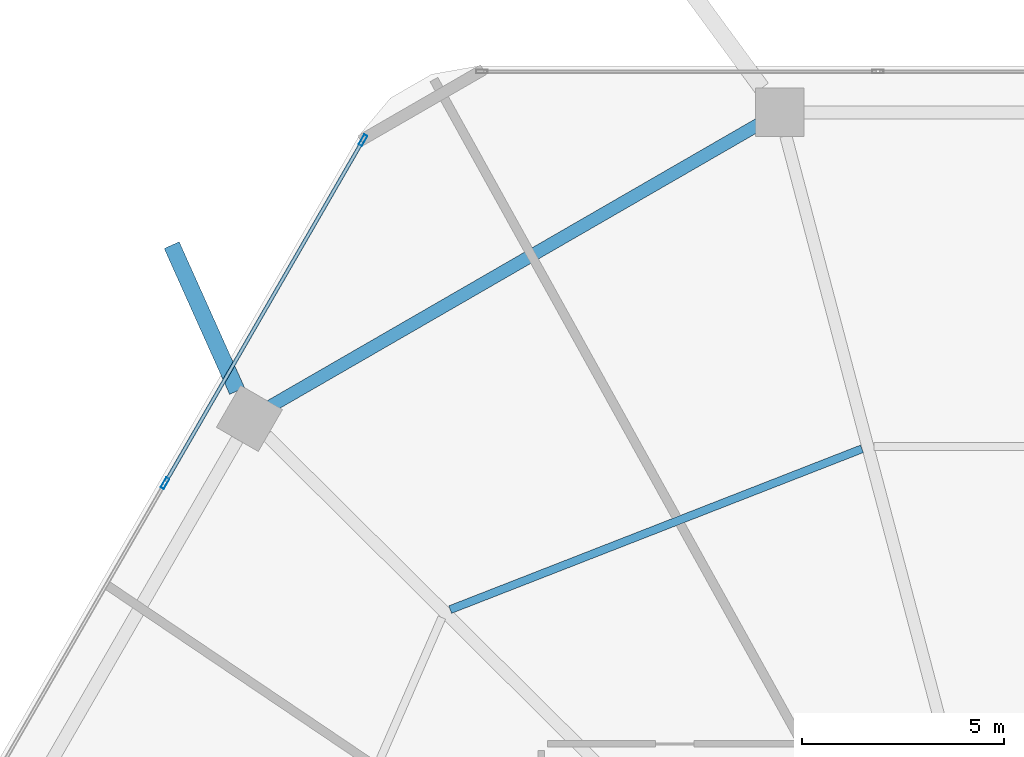
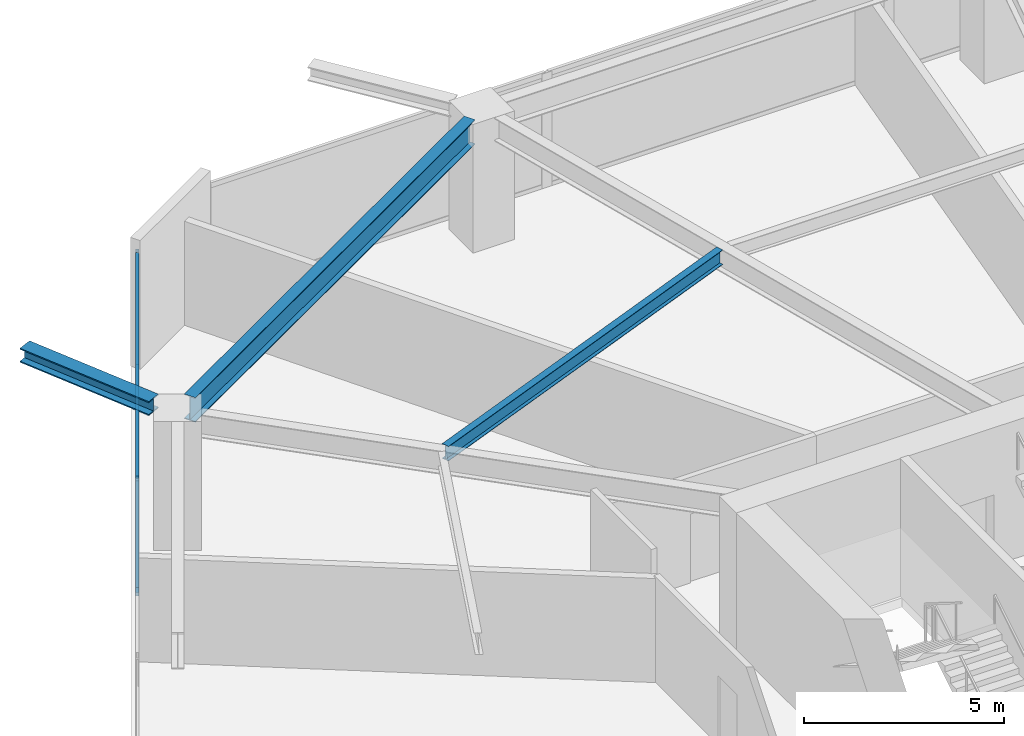
# One storey, part 14 of 25: 4 members, 3 beams, 1 element without a shape of its own.
"""IFC4 building model written with IfcOpenShell, lengths in metres."""

from ifc_helpers import new_model, si_unit, direction, frame, origin, origin_2d, place, context, subcontext, project, spatial, hollow_rectangle, i_section, extrude, material, material_profile, profile_set, type_object, element, aggregate, save


model = new_model("IFC4")

# Units and contexts
model_context = context("Model", 3, precision=1e-05, world=origin(), true_north=direction((0.0, 1.0)))
body_context = subcontext(model_context, "Body", "Model", "MODEL_VIEW")
ifc_project = project(units=[si_unit("LENGTHUNIT", "METRE"), si_unit("AREAUNIT", "SQUARE_METRE"), si_unit("VOLUMEUNIT", "CUBIC_METRE"), si_unit("PLANEANGLEUNIT", "RADIAN"), si_unit("MASSUNIT", "GRAM", prefix="KILO")], contexts=[model_context])

# Site, building, storey
site_placement = place(None, origin())
site = spatial("IfcSite", under=ifc_project, at=site_placement, CompositionType="ELEMENT")
building_placement = place(site_placement, origin())
building = spatial("IfcBuilding", under=site, at=building_placement, Name="Zuhravey Tower", CompositionType="ELEMENT")
storey_placement = place(building_placement, frame((0.0, 0.0, 20.39990234375)))
storey = spatial("IfcBuildingStorey", under=building, at=storey_placement, Name="L05", CompositionType="ELEMENT", Elevation=20.39990234375)

# Curtain wall, members
ifc_material_1 = material(Name="Thermally broken anodised aluminium", Category="aluminium")
curtain_wall_type = type_object("IfcCurtainWallType", Name="School Low-E Unitised Curtain Wall CW1", PredefinedType="NOTDEFINED", material=ifc_material_1)
curtain_wall_placement = place(storey_placement, origin())
curtain_wall = element("IfcCurtainWall", 1, at=curtain_wall_placement, inside=storey, type_object=curtain_wall_type, Name="L05 CW1 CW-L05-F3-1", PredefinedType="NOTDEFINED")
ifc_material_2 = material(Name="Anodised aluminium", Category="aluminium")
ifc_material_profile_1 = material_profile(ifc_material_2, hollow_rectangle(XDim=0.090087890625, YDim=0.284912109375, WallThickness=0.0048828125, at=origin_2d()), Name="ALU-RHS-90x285x5")
ifc_profile_set_1 = profile_set([ifc_material_profile_1], Name="Anodised aluminium")
member_type_1 = type_object("IfcMemberType", Name="Curtain-Wall Mullion 90x180", PredefinedType="MULLION", material=ifc_profile_set_1)
member_1_placement = place(storey_placement, frame((13.387939453125, 50.75146484375, 0.0), z_axis=(0.0, 0.0, 1.0), x_axis=(-0.86602552265, 0.499999794119, 0.0)))
member_1 = element("IfcMember", 2, at=member_1_placement, type_object=member_type_1, Name="CW1 mullion 3", PredefinedType="MULLION", context=body_context, shape_type="SweptSolid", body=[
    extrude(hollow_rectangle(XDim=0.090087890625, YDim=0.284912109375, WallThickness=0.0048828125, at=origin_2d()), origin(), (0.0, 0.0, 1.0), 3.4921875),
])
member_2_placement = place(storey_placement, frame((18.298583984375, 59.257080078125, 0.0), z_axis=(0.0, 0.0, 1.0), x_axis=(-0.86602552265, 0.499999794119, 0.0)))
member_2 = element("IfcMember", 3, at=member_2_placement, type_object=member_type_1, Name="CW1 mullion 4", PredefinedType="MULLION", context=body_context, shape_type="SweptSolid", body=[
    extrude(hollow_rectangle(XDim=0.090087890625, YDim=0.284912109375, WallThickness=0.0048828125, at=origin_2d()), origin(), (0.0, 0.0, 1.0), 3.4921875),
])
ifc_material_profile_2 = material_profile(ifc_material_2, hollow_rectangle(XDim=0.090087890625, YDim=0.14990234375, WallThickness=0.0048828125, at=origin_2d()), Name="ALU-RHS-90x150x5")
ifc_profile_set_2 = profile_set([ifc_material_profile_2], Name="Anodised aluminium")
member_type_2 = type_object("IfcMemberType", Name="Curtain-Wall Transom 90x150", PredefinedType="USERDEFINED", material=ifc_profile_set_2)
member_3_placement = place(storey_placement, frame((13.410400390625, 50.79052734375, 0.045166015625), z_axis=(0.499989576763, 0.86603142156, 0.0), x_axis=(-0.86603142156, 0.499989576763, 0.0)))
member_3 = element("IfcMember", 4, at=member_3_placement, type_object=member_type_2, Name="CW1 transom 3.1", ObjectType="TRANSOM", PredefinedType="USERDEFINED", context=body_context, shape_type="SweptSolid", body=[
    extrude(hollow_rectangle(XDim=0.090087890625, YDim=0.14990234375, WallThickness=0.0048828125, at=origin_2d()), origin(), (0.0, 0.0, 1.0), 9.731201171875),
])
member_4_placement = place(storey_placement, frame((13.410400390625, 50.79052734375, 3.447021484375), z_axis=(0.499989576763, 0.86603142156, 0.0), x_axis=(-0.86603142156, 0.499989576763, 0.0)))
member_4 = element("IfcMember", 5, at=member_4_placement, type_object=member_type_2, Name="CW1 transom 3.2", ObjectType="TRANSOM", PredefinedType="USERDEFINED", context=body_context, shape_type="SweptSolid", body=[
    extrude(hollow_rectangle(XDim=0.090087890625, YDim=0.14990234375, WallThickness=0.0048828125, at=origin_2d()), origin(), (0.0, 0.0, 1.0), 9.731201171875),
])
aggregate(curtain_wall, [member_1, member_2, member_3, member_4])

# Beams
ifc_material_3 = material(Name="Steel SM460", Category="steel")
ifc_material_profile_3 = material_profile(ifc_material_3, i_section(OverallWidth=0.406982421875, OverallDepth=0.427978515625, WebThickness=0.02001953125, FlangeThickness=0.034912109375, at=origin_2d()), Name="H-428x407x20x35")
ifc_profile_set_3 = profile_set([ifc_material_profile_3], Name="Steel SM460")
beam_type_1 = type_object("IfcBeamType", Name="Exoskeleton Node Tie Beam H428x407", PredefinedType="BEAM", material=ifc_profile_set_3)
beam_1_placement = place(storey_placement, frame((15.176513671875, 53.035888671875, 3.7060546875), z_axis=(-0.409266241278, 0.912415006316, 0.0), x_axis=(-0.912415006316, -0.409266241278, 0.0)))
element("IfcBeam", 6, at=beam_1_placement, inside=storey, type_object=beam_type_1, Name="L05 Exoskeleton Node Tie NT1-05", PredefinedType="BEAM", context=body_context, shape_type="SweptSolid", body=[
    extrude(i_section(OverallWidth=0.406982421875, OverallDepth=0.427978515625, WebThickness=0.02001953125, FlangeThickness=0.034912109375, at=origin_2d()), origin(), (0.0, 0.0, 1.0), 3.9658203125),
])
ifc_material_4 = material(Name="Steel SM355", Category="steel")
ifc_material_profile_4 = material_profile(ifc_material_4, i_section(OverallWidth=0.320068359375, OverallDepth=0.75, WebThickness=0.013916015625, FlangeThickness=0.02490234375, at=origin_2d()), Name="H-750x320x14x25")
ifc_profile_set_4 = profile_set([ifc_material_profile_4], Name="Steel SM355")
beam_type_2 = type_object("IfcBeamType", Name="Perimeter Ring Beam H750x320", PredefinedType="BEAM", material=ifc_profile_set_4)
beam_2_placement = place(storey_placement, frame((28.10791015625, 59.64697265625, 3.545166015625), z_axis=(-0.866029969761, -0.499992091414, 0.0), x_axis=(0.499992091414, -0.866029969761, 0.0)))
element("IfcBeam", 7, at=beam_2_placement, inside=storey, type_object=beam_type_2, Name="L05 PB1 BM-L05-PB-04", PredefinedType="BEAM", context=body_context, shape_type="SweptSolid", body=[
    extrude(i_section(OverallWidth=0.320068359375, OverallDepth=0.75, WebThickness=0.013916015625, FlangeThickness=0.02490234375, at=origin_2d()), origin(), (0.0, 0.0, 1.0), 13.977294921875),
])
ifc_material_profile_5 = material_profile(ifc_material_4, i_section(OverallWidth=0.199951171875, OverallDepth=0.449951171875, WebThickness=0.009033203125, FlangeThickness=0.013916015625, at=origin_2d()), Name="H-450x200x9x14")
ifc_profile_set_5 = profile_set([ifc_material_profile_5], Name="Steel SM355")
beam_type_3 = type_object("IfcBeamType", Name="Secondary Floor Joist H450x200", PredefinedType="JOIST", material=ifc_profile_set_5)
beam_3_placement = place(storey_placement, frame((30.67236328125, 51.60302734375, 3.695068359375), z_axis=(-0.931516535886, -0.363698973562, 0.0), x_axis=(0.363698973562, -0.931516535886, 0.0)))
element("IfcBeam", 8, at=beam_3_placement, inside=storey, type_object=beam_type_3, Name="L05 SJ1 BM-L05-SJ-04-1", PredefinedType="JOIST", context=body_context, shape_type="SweptSolid", body=[
    extrude(i_section(OverallWidth=0.199951171875, OverallDepth=0.449951171875, WebThickness=0.009033203125, FlangeThickness=0.013916015625, at=origin_2d()), origin(), (0.0, 0.0, 1.0), 10.963134765625),
])

save(model, "model.ifc")
